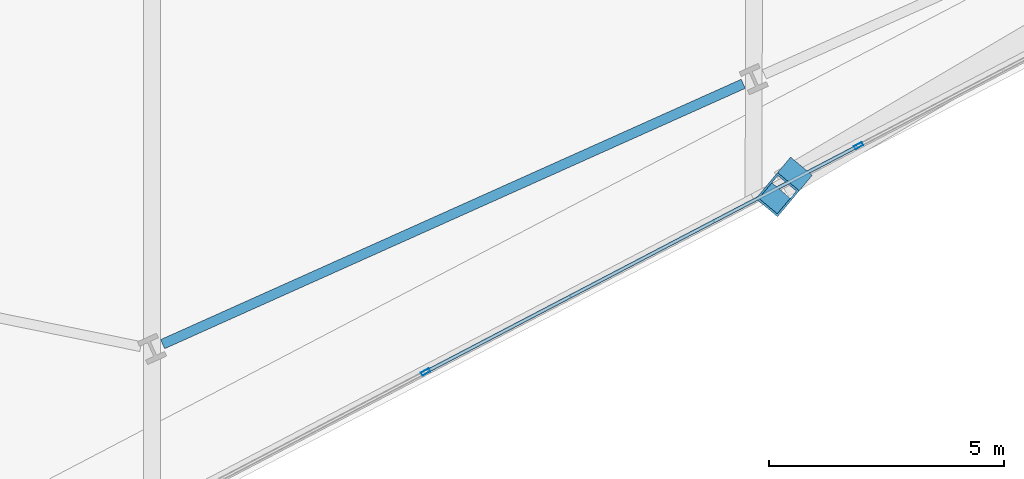
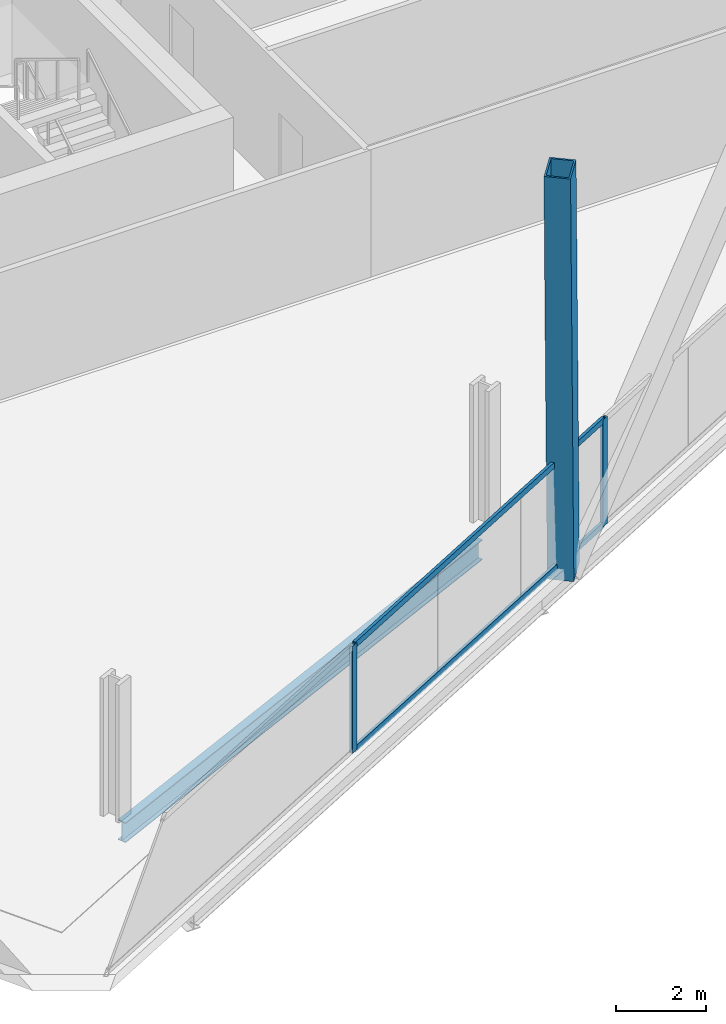
# One storey, part 7 of 33: 5 members, 1 beam, 1 element without a shape of its own.
"""IFC4 building model written with IfcOpenShell, lengths in metres."""

from ifc_helpers import new_model, si_unit, direction, frame, origin, origin_2d, place, context, subcontext, project, spatial, hollow_rectangle, i_section, extrude, material, material_profile, profile_set, type_object, element, aggregate, save


model = new_model("IFC4")

# Units and contexts
model_context = context("Model", 3, precision=1e-05, world=origin(), true_north=direction((0.0, 1.0)))
body_context = subcontext(model_context, "Body", "Model", "MODEL_VIEW")
ifc_project = project(units=[si_unit("LENGTHUNIT", "METRE"), si_unit("AREAUNIT", "SQUARE_METRE"), si_unit("VOLUMEUNIT", "CUBIC_METRE"), si_unit("PLANEANGLEUNIT", "RADIAN"), si_unit("MASSUNIT", "GRAM", prefix="KILO")], contexts=[model_context])

# Site, building, storey
site_placement = place(None, origin())
site = spatial("IfcSite", under=ifc_project, at=site_placement, CompositionType="ELEMENT")
building_placement = place(site_placement, origin())
building = spatial("IfcBuilding", under=site, at=building_placement, Name="Haldenkirk Collegiate Tower", CompositionType="ELEMENT")
storey_placement = place(building_placement, frame((0.0, 0.0, 120.449951171875)))
storey = spatial("IfcBuildingStorey", under=building, at=storey_placement, Name="L29", CompositionType="ELEMENT", Elevation=120.449951171875)

# Beam
ifc_material_1 = material(Name="Steel ASTM A992 Grade 50", Category="steel")
ifc_material_profile_1 = material_profile(ifc_material_1, i_section(OverallWidth=0.2119140625, OverallDepth=0.5439453125, WebThickness=0.01318359375, FlangeThickness=0.021240234375, at=origin_2d()), Name="W21X83")
ifc_profile_set_1 = profile_set([ifc_material_profile_1], Name="Steel ASTM A992 Grade 50")
beam_type = type_object("IfcBeamType", Name="BM-SPANDREL-W21X83", PredefinedType="SPANDREL", material=ifc_profile_set_1)
beam_placement = place(storey_placement, frame((32.405517578125, 0.3876953125, -0.572021484375), z_axis=(0.912476765144, 0.409128528793, 0.0), x_axis=(-0.409128528793, 0.912476765144, 0.0)))
element("IfcBeam", 1, at=beam_placement, inside=storey, type_object=beam_type, Name="L29 perimeter spandrel beam 02", PredefinedType="SPANDREL", context=body_context, shape_type="SweptSolid", body=[
    extrude(i_section(OverallWidth=0.2119140625, OverallDepth=0.5439453125, WebThickness=0.01318359375, FlangeThickness=0.021240234375, at=origin_2d()), origin(), (0.0, 0.0, 1.0), 13.512939453125),
])

# Curtain wall, members
ifc_material_2 = material(Name="Anodised architectural bronze aluminium", Category="aluminium")
curtain_wall_type = type_object("IfcCurtainWallType", Name="CW-SYS2-CONCAVE", PredefinedType="USERDEFINED", material=ifc_material_2)
curtain_wall_placement = place(storey_placement, origin())
curtain_wall = element("IfcCurtainWall", 2, at=curtain_wall_placement, inside=storey, type_object=curtain_wall_type, Name="L29 South concave recessed bronze-anodised curtain wall", ObjectType="UNITISED CURTAIN WALL", PredefinedType="USERDEFINED")
ifc_material_profile_2 = material_profile(ifc_material_2, hollow_rectangle(XDim=0.074951171875, YDim=0.18994140625, WallThickness=0.0048828125, at=origin_2d()), Name="CW-MUL-02")
ifc_profile_set_2 = profile_set([ifc_material_profile_2], Name="Anodised architectural bronze aluminium")
member_type_1 = type_object("IfcMemberType", Name="CW-MUL-02", PredefinedType="MULLION", material=ifc_profile_set_2)
member_1_placement = place(storey_placement, frame((47.186279296875, 4.6025390625, 0.0), z_axis=(0.0, 0.0, 1.0), x_axis=(0.463296790536, -0.886203184309, 0.0)))
member_1 = element("IfcMember", 3, at=member_1_placement, type_object=member_type_1, Name="CW-02 mullion 3", PredefinedType="MULLION", context=body_context, shape_type="SweptSolid", body=[
    extrude(hollow_rectangle(XDim=0.074951171875, YDim=0.18994140625, WallThickness=0.0048828125, at=origin_2d()), origin(), (0.0, 0.0, 1.0), 2.901123046875),
])
member_2_placement = place(storey_placement, frame((37.991943359375, -0.2041015625, 0.0), z_axis=(0.0, 0.0, 1.0), x_axis=(0.463296790536, -0.886203184309, 0.0)))
member_2 = element("IfcMember", 4, at=member_2_placement, type_object=member_type_1, Name="CW-02 mullion 4", PredefinedType="MULLION", context=body_context, shape_type="SweptSolid", body=[
    extrude(hollow_rectangle(XDim=0.074951171875, YDim=0.18994140625, WallThickness=0.0048828125, at=origin_2d()), origin(), (0.0, 0.0, 1.0), 2.901123046875),
])
ifc_material_profile_3 = material_profile(ifc_material_2, hollow_rectangle(XDim=0.074951171875, YDim=0.159912109375, WallThickness=0.0048828125, at=origin_2d()), Name="CW-TRN-02")
ifc_profile_set_3 = profile_set([ifc_material_profile_3], Name="Anodised architectural bronze aluminium")
member_type_2 = type_object("IfcMemberType", Name="CW-TRN-02", PredefinedType="USERDEFINED", material=ifc_profile_set_3)
member_3_placement = place(storey_placement, frame((47.153076171875, 4.585205078125, 0.03759765625), z_axis=(-0.886203326673, -0.463296518219, 0.0), x_axis=(0.463296518219, -0.886203326673, 0.0)))
member_3 = element("IfcMember", 5, at=member_3_placement, type_object=member_type_2, Name="CW-02 transom 3.1", ObjectType="TRANSOM", PredefinedType="USERDEFINED", context=body_context, shape_type="SweptSolid", body=[
    extrude(hollow_rectangle(XDim=0.074951171875, YDim=0.159912109375, WallThickness=0.0048828125, at=origin_2d()), origin(), (0.0, 0.0, 1.0), 10.300048828125),
])
member_4_placement = place(storey_placement, frame((47.153076171875, 4.585205078125, 2.863525390625), z_axis=(-0.886203326673, -0.463296518219, 0.0), x_axis=(0.463296518219, -0.886203326673, 0.0)))
member_4 = element("IfcMember", 6, at=member_4_placement, type_object=member_type_2, Name="CW-02 transom 3.2", ObjectType="TRANSOM", PredefinedType="USERDEFINED", context=body_context, shape_type="SweptSolid", body=[
    extrude(hollow_rectangle(XDim=0.074951171875, YDim=0.159912109375, WallThickness=0.0048828125, at=origin_2d()), origin(), (0.0, 0.0, 1.0), 10.300048828125),
])
aggregate(curtain_wall, [member_1, member_2, member_3, member_4])

# Member
ifc_material_3 = material(Name="Steel ASTM A572 Grade 50", Category="steel")
ifc_material_profile_4 = material_profile(ifc_material_3, hollow_rectangle(XDim=0.60009765625, YDim=0.719970703125, WallThickness=0.044921875, at=origin_2d()), Name="BOX720X600X45")
ifc_profile_set_4 = profile_set([ifc_material_profile_4], Name="Steel ASTM A572 Grade 50")
member_type_3 = type_object("IfcMemberType", Name="MBR-MEGABRACE-BOX720X600X45", PredefinedType="BRACE", material=ifc_profile_set_4)
member_5_placement = place(storey_placement, frame((45.739990234375, 3.8916015625, -0.31005859375), z_axis=(-0.024569945366, -0.029427301586, 0.999264905671), x_axis=(0.767615494939, -0.640910642703, 0.0)))
element("IfcMember", 7, at=member_5_placement, inside=storey, type_object=member_type_3, Name="Perimeter Mega Brace Z2 L29-L31 SL", PredefinedType="BRACE", context=body_context, shape_type="SweptSolid", body=[
    extrude(hollow_rectangle(XDim=0.60009765625, YDim=0.719970703125, WallThickness=0.044921875, at=origin_2d()), origin(), (0.0, 0.0, 1.0), 11.20849609375),
])

save(model, "model.ifc")
